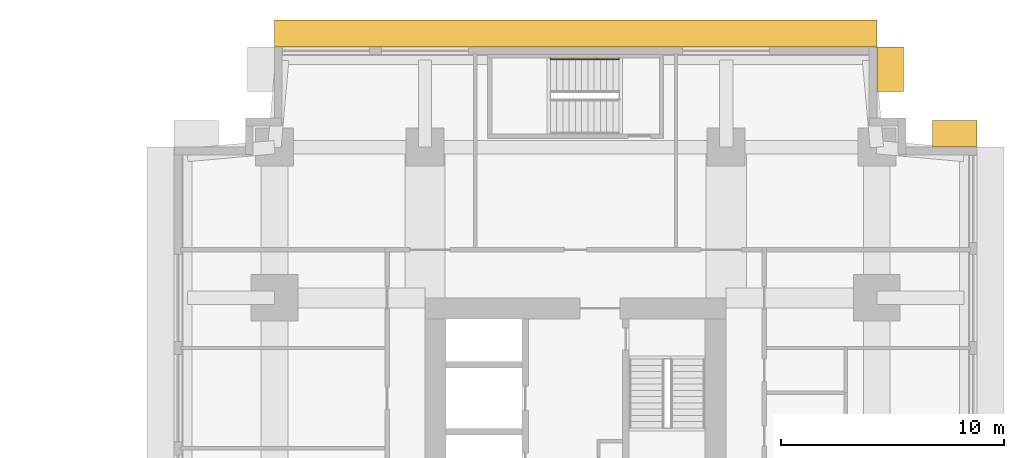
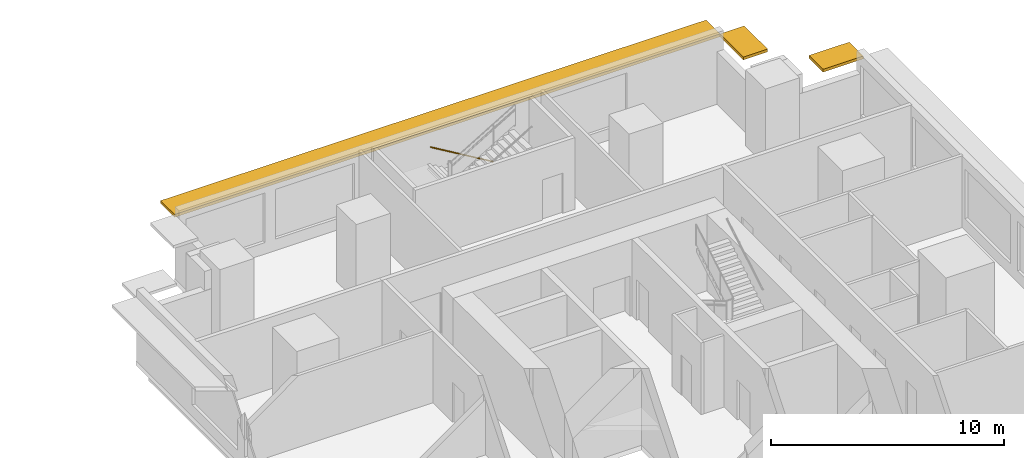
# One storey, part 11 of 11: 3 shading devices, 1 railing.
"""IFC4 building model written with IfcOpenShell, lengths in metres."""

from ifc_helpers import new_model, si_unit, direction, frame, origin, origin_2d, place, context, subcontext, project, spatial, rectangle, circle, extrude, material, layer, layer_set, type_object, element, save


model = new_model("IFC4")

# Units and contexts
model_context = context("Model", 3, precision=1e-05, world=origin(), true_north=direction((0.0, 1.0)))
body_context = subcontext(model_context, "Body", "Model", "MODEL_VIEW")
ifc_project = project(units=[si_unit("LENGTHUNIT", "METRE"), si_unit("AREAUNIT", "SQUARE_METRE"), si_unit("VOLUMEUNIT", "CUBIC_METRE"), si_unit("PLANEANGLEUNIT", "RADIAN"), si_unit("MASSUNIT", "GRAM", prefix="KILO")], contexts=[model_context])

# Site, building, storey
site_placement = place(None, origin())
site = spatial("IfcSite", under=ifc_project, at=site_placement, CompositionType="ELEMENT")
building_placement = place(site_placement, origin())
building = spatial("IfcBuilding", under=site, at=building_placement, Name="Namib Vertical Campus", CompositionType="ELEMENT")
storey_placement = place(building_placement, frame((0.0, 0.0, 73.0)))
storey = spatial("IfcBuildingStorey", under=building, at=storey_placement, Name="L17", CompositionType="ELEMENT", Elevation=73.0)

# Railing
ifc_material_1 = material(Name="Steel handrail", Category="steel")
railing_type = type_object("IfcRailingType", Name="Handrail 900", PredefinedType="HANDRAIL", material=ifc_material_1)
railing_placement = place(storey_placement, frame((82.949951171875, 39.949951171875, 0.166748046875)))
element("IfcRailing", 1, at=railing_placement, inside=storey, type_object=railing_type, Name="Handrail HR1 B-S3 L17 1", PredefinedType="HANDRAIL", context=body_context, shape_type="SweptSolid", body=[
    extrude(circle(Radius=0.02392578125, at=origin_2d()), frame((0.0, 0.0, 0.8759765625), z_axis=(-0.859290745958, 0.0, 0.51148745235), x_axis=(0.0, -1.0, 0.0)), (0.0, 0.0, 1.0), 3.584228515625),
    extrude(circle(Radius=0.008056640625, at=origin_2d()), frame((0.0, 0.0, 0.8759765625), z_axis=(0.0, 1.0, 0.0), x_axis=(0.0, 0.0, 1.0)), (0.0, 0.0, 1.0), 0.050048828125),
    extrude(circle(Radius=0.008056640625, at=origin_2d()), frame((-1.026611328125, 0.0, 1.48681640625), z_axis=(0.0, 1.0, 0.0), x_axis=(0.0, 0.0, 1.0)), (0.0, 0.0, 1.0), 0.050048828125),
    extrude(circle(Radius=0.008056640625, at=origin_2d()), frame((-2.05322265625, 0.0, 2.09814453125), z_axis=(0.0, 1.0, 0.0), x_axis=(0.0, 0.0, 1.0)), (0.0, 0.0, 1.0), 0.050048828125),
    extrude(circle(Radius=0.008056640625, at=origin_2d()), frame((-3.079833984375, 0.0, 2.708984375), z_axis=(0.0, 1.0, 0.0), x_axis=(0.0, 0.0, 1.0)), (0.0, 0.0, 1.0), 0.050048828125),
])

# Shading devices
ifc_material_2 = material(Name="Concrete C40/50 precast", Category="concrete")
ifc_layer = layer(ifc_material_2, 0.14990234375)
ifc_layer_set = layer_set([ifc_layer], Name="Concrete C40/50 precast")
shading_device_type = type_object("IfcShadingDeviceType", Name="Sunshade hood 1200", PredefinedType="SHUTTER", material=ifc_layer_set)
for number, where, z_axis, x_axis, name in (
    (2, (98.0, 36.60009765625, 3.199951171875), (0.0, 0.0, 1.0), (-1.0, 0.0, 0.0), "Sunshade SH2 L17 7"),
    (3, (95.10009765625, 39.5, 3.199951171875), (0.0, 0.0, 1.0), (0.0, 1.0, 0.0), "Sunshade SH2 L17 10"),
):
    element("IfcShadingDevice", number, at=place(storey_placement, frame(where, z_axis=z_axis, x_axis=x_axis)), inside=storey, type_object=shading_device_type, Name=name, PredefinedType="SHUTTER", context=body_context, shape_type="SweptSolid", body=[
        extrude(rectangle(XDim=2.0, YDim=1.199951171875, at=origin_2d()), origin(), (0.0, 0.0, 1.0), 0.14990234375),
    ])
shading_device_placement = place(storey_placement, frame((81.0, 41.10009765625, 3.199951171875), z_axis=(0.0, 0.0, 1.0), x_axis=(-1.0, 0.0, 0.0)))
element("IfcShadingDevice", 4, at=shading_device_placement, inside=storey, type_object=shading_device_type, Name="Sunshade SH2 L17 11", PredefinedType="SHUTTER", context=body_context, shape_type="SweptSolid", body=[
    extrude(rectangle(XDim=27.0, YDim=1.199951171875, at=origin_2d()), origin(), (0.0, 0.0, 1.0), 0.14990234375),
])

save(model, "model.ifc")
